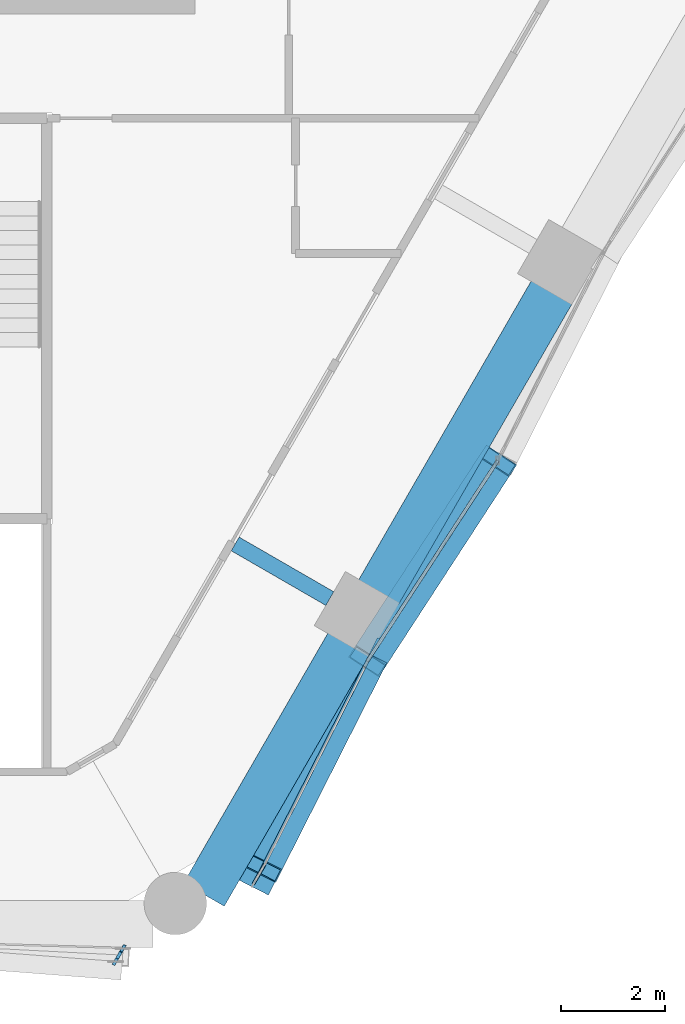
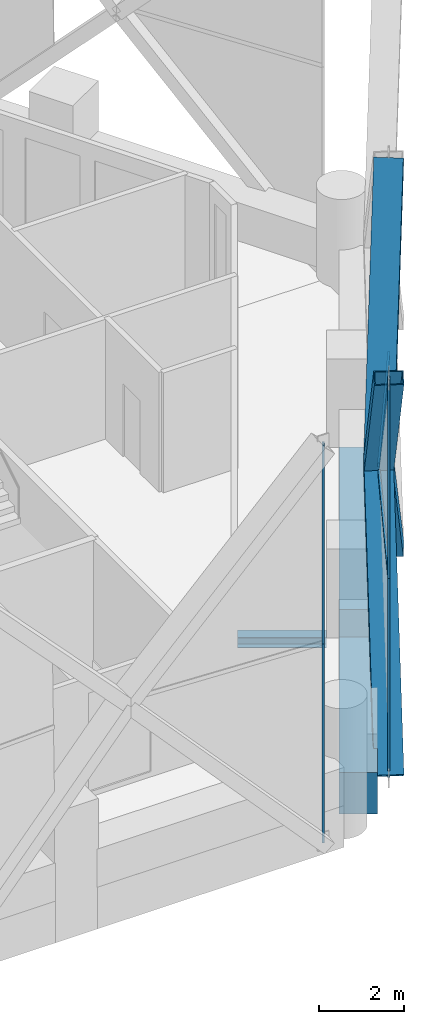
# One storey, part 6 of 21: 10 members, 3 beams, 3 elements without a shape of their own.
"""IFC4 building model written with IfcOpenShell, lengths in metres."""

from ifc_helpers import new_model, si_unit, direction, frame, origin, origin_2d, place, context, subcontext, project, spatial, rectangle, hollow_rectangle, i_section, extrude, material, material_profile, profile_set, type_object, element, aggregate, save


model = new_model("IFC4")

# Units and contexts
model_context = context("Model", 3, precision=1e-05, world=origin(), true_north=direction((0.0, 1.0)))
body_context = subcontext(model_context, "Body", "Model", "MODEL_VIEW")
ifc_project = project(units=[si_unit("LENGTHUNIT", "METRE"), si_unit("AREAUNIT", "SQUARE_METRE"), si_unit("VOLUMEUNIT", "CUBIC_METRE"), si_unit("PLANEANGLEUNIT", "RADIAN"), si_unit("MASSUNIT", "GRAM", prefix="KILO")], contexts=[model_context])

# Site, building, storey
site_placement = place(None, origin())
site = spatial("IfcSite", under=ifc_project, at=site_placement, CompositionType="ELEMENT")
building_placement = place(site_placement, origin())
building = spatial("IfcBuilding", under=site, at=building_placement, Name="Ostrander Bayou Hotel Tower", CompositionType="ELEMENT")
storey_placement = place(building_placement, frame((0.0, 0.0, 116.0)))
storey = spatial("IfcBuildingStorey", under=building, at=storey_placement, Name="L28", CompositionType="ELEMENT", Elevation=116.0)

# Curtain wall, members
ifc_material_1 = material(Name="Aluminium and clear glass", Category="aluminium")
curtain_wall_type = type_object("IfcCurtainWallType", Name="CW-LAT lattice glazing", PredefinedType="NOTDEFINED", material=ifc_material_1)
curtain_wall_1_placement = place(storey_placement, origin())
curtain_wall_1 = element("IfcCurtainWall", 1, at=curtain_wall_1_placement, inside=storey, type_object=curtain_wall_type, Name="CW-LAT L28 S 1", PredefinedType="NOTDEFINED")
ifc_material_2 = material(Name="Aluminium", Category="aluminium")
ifc_material_profile_1 = material_profile(ifc_material_2, hollow_rectangle(XDim=0.06005859375, YDim=0.159912109375, WallThickness=0.00390625, at=origin_2d()))
ifc_profile_set_1 = profile_set([ifc_material_profile_1], Name="Aluminium")
member_type_1 = type_object("IfcMemberType", Name="CW-LA mullion 60 x 160 mm", PredefinedType="MULLION", material=ifc_profile_set_1)
member_1_placement = place(storey_placement, frame((10.46875, -19.904541015625, -0.60009765625), z_axis=(0.012626192954, 0.021824656549, 0.999682081273), x_axis=(-0.865583332221, 0.500764909893, 0.0)))
member_1 = element("IfcMember", 2, at=member_1_placement, type_object=member_type_1, Name="CW-LAT mullion 8", PredefinedType="MULLION", context=body_context, shape_type="SweptSolid", body=[
    extrude(hollow_rectangle(XDim=0.06005859375, YDim=0.159912109375, WallThickness=0.00390625, at=origin_2d()), origin(), (0.0, 0.0, 1.0), 5.626708984375),
])
member_2_placement = place(storey_placement, frame((10.539794921875, -19.78173828125, 5.02490234375), z_axis=(0.012582810856, 0.021824668484, 0.999682627996), x_axis=(-0.866328918095, 0.499473928922, 0.0)))
member_2 = element("IfcMember", 3, at=member_2_placement, type_object=member_type_1, Name="CW-LAT mullion 9", PredefinedType="MULLION", context=body_context, shape_type="SweptSolid", body=[
    extrude(hollow_rectangle(XDim=0.06005859375, YDim=0.159912109375, WallThickness=0.00390625, at=origin_2d()), origin(), (0.0, 0.0, 1.0), 5.626708984375),
])
aggregate(curtain_wall_1, [member_1, member_2])

curtain_wall_2_placement = place(storey_placement, origin())
curtain_wall_2 = element("IfcCurtainWall", 4, at=curtain_wall_2_placement, inside=storey, type_object=curtain_wall_type, Name="CW-LAT L28 SE 1", PredefinedType="NOTDEFINED")
member_3_placement = place(storey_placement, frame((13.156005859375, -18.35302734375, -0.60009765625), z_axis=(0.012626192954, 0.021824656549, 0.999682081273), x_axis=(-0.865583332221, 0.500764909893, 0.0)))
member_3 = element("IfcMember", 5, at=member_3_placement, type_object=member_type_1, Name="CW-LAT mullion 1", PredefinedType="MULLION", context=body_context, shape_type="SweptSolid", body=[
    extrude(hollow_rectangle(XDim=0.06005859375, YDim=0.159912109375, WallThickness=0.00390625, at=origin_2d()), origin(), (0.0, 0.0, 1.0), 5.626708984375),
])
member_4_placement = place(storey_placement, frame((13.22705078125, -18.230224609375, 5.02490234375), z_axis=(0.012582810856, 0.021824668484, 0.999682627996), x_axis=(-0.866328918095, 0.499473928922, 0.0)))
member_4 = element("IfcMember", 6, at=member_4_placement, type_object=member_type_1, Name="CW-LAT mullion 2", PredefinedType="MULLION", context=body_context, shape_type="SweptSolid", body=[
    extrude(hollow_rectangle(XDim=0.06005859375, YDim=0.159912109375, WallThickness=0.00390625, at=origin_2d()), origin(), (0.0, 0.0, 1.0), 5.626708984375),
])
aggregate(curtain_wall_2, [member_3, member_4])

curtain_wall_3_placement = place(storey_placement, origin())
curtain_wall_3 = element("IfcCurtainWall", 7, at=curtain_wall_3_placement, inside=storey, type_object=curtain_wall_type, Name="CW-LAT L28 SE 2", PredefinedType="NOTDEFINED")
ifc_material_3 = material(Name="Aluminium", Category="aluminium")
ifc_material_profile_2 = material_profile(ifc_material_3, hollow_rectangle(XDim=0.06005859375, YDim=0.1201171875, WallThickness=0.00390625, at=origin_2d()))
ifc_profile_set_2 = profile_set([ifc_material_profile_2], Name="Aluminium")
member_type_2 = type_object("IfcMemberType", Name="CW-LA transom 60 x 120 mm", PredefinedType="USERDEFINED", material=ifc_profile_set_2)
member_5_placement = place(storey_placement, frame((13.22705078125, -18.230224609375, 5.02490234375), z_axis=(0.453238264364, 0.891389407451, 0.0), x_axis=(-0.891389407451, 0.453238264364, 0.0)))
member_5 = element("IfcMember", 8, at=member_5_placement, type_object=member_type_2, Name="CW-LAT transom 3", ObjectType="TRANSOM", PredefinedType="USERDEFINED", context=body_context, shape_type="SweptSolid", body=[
    extrude(hollow_rectangle(XDim=0.06005859375, YDim=0.1201171875, WallThickness=0.00390625, at=origin_2d()), origin(), (0.0, 0.0, 1.0), 5.0810546875),
])
member_6_placement = place(storey_placement, frame((17.814208984375, -10.284912109375, 5.02490234375), z_axis=(-0.545332026434, -0.838220126783, 0.0), x_axis=(0.838220126783, -0.545332026434, 0.0)))
member_6 = element("IfcMember", 9, at=member_6_placement, type_object=member_type_2, Name="CW-LAT transom 6", ObjectType="TRANSOM", PredefinedType="USERDEFINED", context=body_context, shape_type="SweptSolid", body=[
    extrude(hollow_rectangle(XDim=0.06005859375, YDim=0.1201171875, WallThickness=0.00390625, at=origin_2d()), origin(), (0.0, 0.0, 1.0), 4.59375),
])
aggregate(curtain_wall_3, [member_5, member_6])

# Beam
ifc_material_4 = material(Name="Steel ASTM A992", Category="steel")
ifc_material_profile_3 = material_profile(ifc_material_4, i_section(OverallWidth=0.3046875, OverallDepth=0.307861328125, WebThickness=0.010009765625, FlangeThickness=0.015380859375, at=origin_2d()))
ifc_profile_set_3 = profile_set([ifc_material_profile_3], Name="Steel ASTM A992")
beam_type_1 = type_object("IfcBeamType", Name="LB1 loggia bracket W12x65", PredefinedType="BEAM", material=ifc_profile_set_3)
beam_1_placement = place(storey_placement, frame((14.587646484375, -12.933349609375, -0.453857421875), z_axis=(-0.866009402589, 0.500027713859, 0.0), x_axis=(-0.500027713859, -0.866009402589, 0.0)))
element("IfcBeam", 10, at=beam_1_placement, inside=storey, type_object=beam_type_1, Name="LB1 L28 SE1", PredefinedType="BEAM", context=body_context, shape_type="SweptSolid", body=[
    extrude(i_section(OverallWidth=0.3046875, OverallDepth=0.307861328125, WebThickness=0.010009765625, FlangeThickness=0.015380859375, at=origin_2d()), origin(), (0.0, 0.0, 1.0), 2.10009765625),
])

# Members
ifc_material_5 = material(Name="Steel ASTM A572 Gr 50", Category="steel")
ifc_material_profile_4 = material_profile(ifc_material_5, hollow_rectangle(XDim=0.699951171875, YDim=0.35009765625, WallThickness=0.02490234375, at=origin_2d()))
ifc_profile_set_4 = profile_set([ifc_material_profile_4], Name="Steel ASTM A572 Gr 50")
member_type_3 = type_object("IfcMemberType", Name="LT1 lattice member box 700 x 350 x 25 mm", PredefinedType="BRACE", material=ifc_profile_set_4)
member_7_placement = place(storey_placement, frame((15.30908203125, -14.135498046875, 5.02490234375), z_axis=(-0.292823311247, -0.573593684294, -0.765012936968), x_axis=(0.890652800154, -0.454684054678, 0.0)))
element("IfcMember", 11, at=member_7_placement, inside=storey, type_object=member_type_3, Name="LT1 L28 SE 1", PredefinedType="BRACE", context=body_context, shape_type="SweptSolid", body=[
    extrude(hollow_rectangle(XDim=0.699951171875, YDim=0.35009765625, WallThickness=0.02490234375, at=origin_2d()), origin(), (0.0, 0.0, 1.0), 7.352783203125),
])
member_8_placement = place(storey_placement, frame((15.30908203125, -14.135498046875, 5.02490234375), z_axis=(-0.280361990279, -0.553679196388, 0.784115107553), x_axis=(0.892145408537, -0.451748348118, 0.0)))
element("IfcMember", 12, at=member_8_placement, inside=storey, type_object=member_type_3, Name="LT1 L28 SE 2", PredefinedType="BRACE", context=body_context, shape_type="SweptSolid", body=[
    extrude(hollow_rectangle(XDim=0.699951171875, YDim=0.35009765625, WallThickness=0.02490234375, at=origin_2d()), origin(), (0.0, 0.0, 1.0), 7.173583984375),
])
for number, where, z_axis, x_axis, name in (
    (13, (15.30908203125, -14.135498046875, 5.02490234375), (0.344942016564, 0.530204218423, -0.774531143322), (-0.838220126783, 0.545332026434, 0.0), "LT1 L28 SE 3"),
    (14, (15.30908203125, -14.135498046875, 5.02490234375), (0.344942016564, 0.530204218423, 0.774531143322), (-0.838220126783, 0.545332026434, 0.0), "LT1 L28 SE 4"),
):
    element("IfcMember", number, at=place(storey_placement, frame(where, z_axis=z_axis, x_axis=x_axis)), inside=storey, type_object=member_type_3, Name=name, PredefinedType="BRACE", context=body_context, shape_type="SweptSolid", body=[
        extrude(hollow_rectangle(XDim=0.699951171875, YDim=0.35009765625, WallThickness=0.02490234375, at=origin_2d()), origin(), (0.0, 0.0, 1.0), 7.262451171875),
    ])

# Beams
ifc_material_6 = material(Name="Concrete f'c 70 MPa", Category="concrete")
ifc_material_profile_5 = material_profile(ifc_material_6, rectangle(XDim=0.89990234375, YDim=1.199951171875, at=origin_2d()))
ifc_profile_set_5 = profile_set([ifc_material_profile_5], Name="Concrete f'c 70 MPa")
beam_type_2 = type_object("IfcBeamType", Name="SP2 spandrel beam 900 x 1200 mm f'c 70 MPa", PredefinedType="SPANDREL", material=ifc_profile_set_5)
beam_2_placement = place(storey_placement, frame((12.169921875, -18.620849609375, -0.60009765625), z_axis=(0.500008568482, 0.866020456713, 0.0), x_axis=(-0.866020456713, 0.500008568482, 0.0)))
element("IfcBeam", 15, at=beam_2_placement, inside=storey, type_object=beam_type_2, Name="SP2 L28 SE-1", PredefinedType="SPANDREL", context=body_context, shape_type="SweptSolid", body=[
    extrude(rectangle(XDim=0.89990234375, YDim=1.199951171875, at=origin_2d()), origin(), (0.0, 0.0, 1.0), 5.564453125),
])
beam_3_placement = place(storey_placement, frame((15.522216796875, -12.814697265625, -0.60009765625), z_axis=(0.499999023957, 0.866025967302, 0.0), x_axis=(-0.866025967302, 0.499999023957, 0.0)))
element("IfcBeam", 16, at=beam_3_placement, inside=storey, type_object=beam_type_2, Name="SP2 L28 SE-2", PredefinedType="SPANDREL", context=body_context, shape_type="SweptSolid", body=[
    extrude(rectangle(XDim=0.89990234375, YDim=1.199951171875, at=origin_2d()), origin(), (0.0, 0.0, 1.0), 6.67333984375),
])

save(model, "model.ifc")
